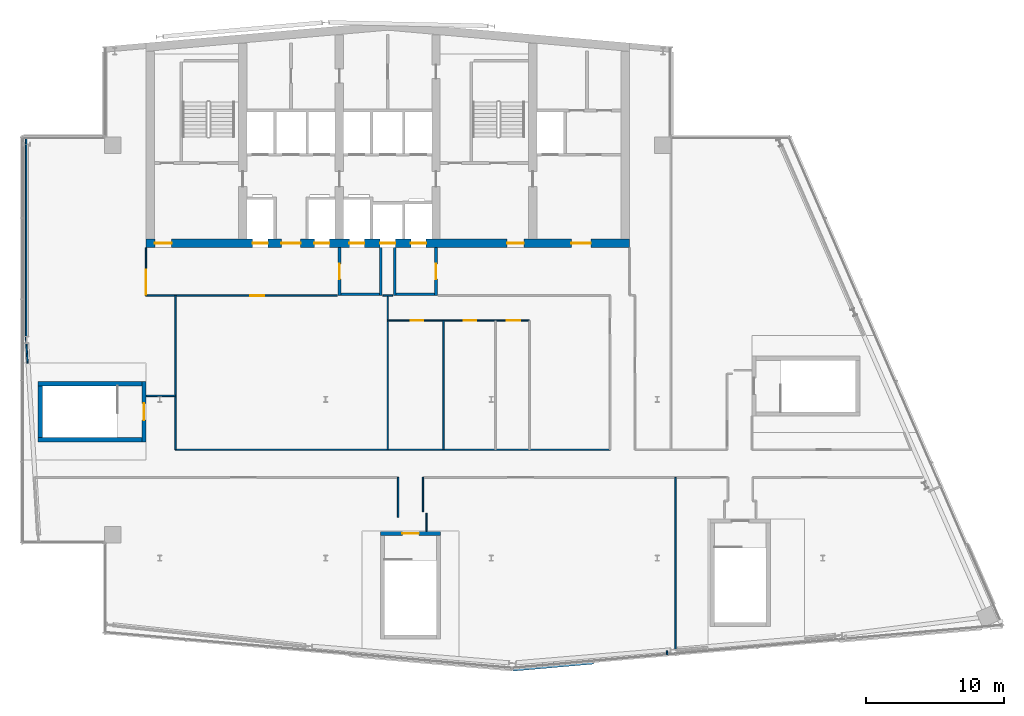
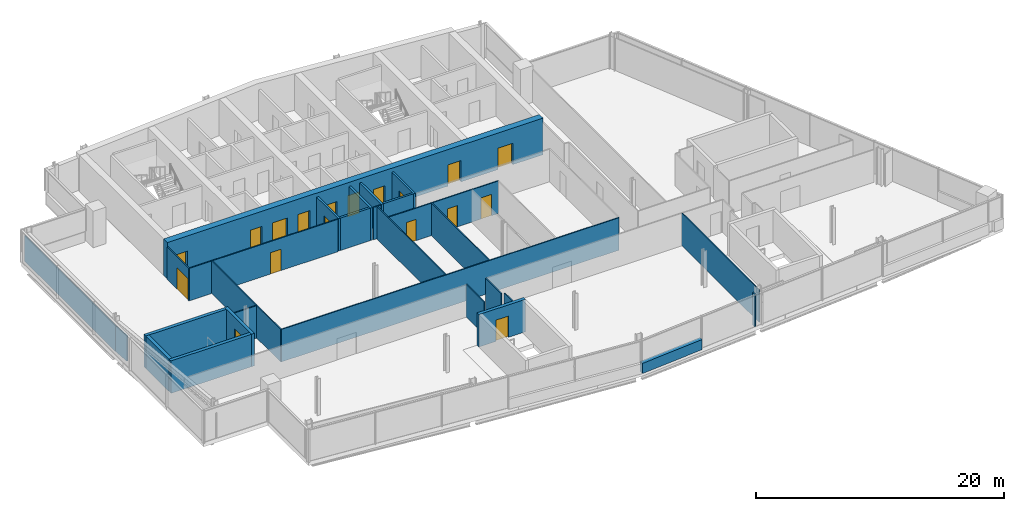
# One storey, part 14 of 19: 29 walls, 18 doors, 18 openings.
"""IFC4 building model written with IfcOpenShell, lengths in metres."""

import ifcopenshell
import ifcopenshell.guid

model = None  # the IFC model being written
_history = None  # IfcOwnerHistory: only IFC2X3 demands one
_inside = {}  # id of a spatial element -> (the spatial element, [elements in it])
_under = {}  # id of a project, library or spatial element -> (it, [spatial elements below it])
_declared = {}  # id of a project -> (the project, [libraries it declares])
_typed = {}  # id of a type object -> (the type object, [elements of that type])
_made_of = {}  # id of a material, layer set ... -> (it, [elements and type objects made of it])


def new_model(schema):
    """Start an empty IFC model of exactly this schema.

    Asked for "IFC4X3", IfcOpenShell would pick the latest addendum, in which some entities
    have other attributes; the version numbers below select the first issue.
    IFC2X3 requires an IfcOwnerHistory on every rooted entity: one is made here for all.
    """
    global model, _history
    if schema == "IFC4X3":
        model = ifcopenshell.file(schema_version=(4, 3, 0, 0))
    else:
        model = ifcopenshell.file(schema=schema)
    _inside.clear()
    _under.clear()
    _declared.clear()
    _typed.clear()
    _made_of.clear()
    _history = None
    if model.schema == "IFC2X3":
        org = make("IfcOrganization", Name="unknown")
        user = make(
            "IfcPersonAndOrganization",
            ThePerson=make("IfcPerson", FamilyName="unknown"),
            TheOrganization=org,
        )
        app = make(
            "IfcApplication",
            ApplicationDeveloper=org,
            Version="unknown",
            ApplicationFullName="unknown",
            ApplicationIdentifier="unknown",
        )
        _history = make(
            "IfcOwnerHistory",
            OwningUser=user,
            OwningApplication=app,
            ChangeAction="ADDED",
            CreationDate=0,
        )
    return model


def make(cls, **values):
    """One entity of the class cls with the attributes given. An attribute that is None is left unset."""
    return model.create_entity(
        cls, **{name: value for name, value in values.items() if value is not None}
    )


def rooted(cls, **values):
    """An entity with a GlobalId (a new one), such as an element, a storey or a relation."""
    return make(cls, GlobalId=ifcopenshell.guid.new(), OwnerHistory=_history, **values)


def si_unit(unit_type, name, prefix=None):
    """IfcSIUnit, for example si_unit("LENGTHUNIT", "METRE", prefix="MILLI")."""
    return make("IfcSIUnit", UnitType=unit_type, Prefix=prefix, Name=name)


def assignment(units):
    """IfcUnitAssignment: the units of a project."""
    return None if units is None else make("IfcUnitAssignment", Units=units)


def point(xyz):
    """IfcCartesianPoint."""
    return None if xyz is None else make("IfcCartesianPoint", Coordinates=xyz)


def direction(xyz):
    """IfcDirection."""
    return None if xyz is None else make("IfcDirection", DirectionRatios=xyz)


def frame(location, z_axis=None, x_axis=None):
    """IfcAxis2Placement3D, a coordinate frame: its origin and axes. An axis left out is left unset."""
    return make(
        "IfcAxis2Placement3D",
        Location=point(location),
        Axis=direction(z_axis),
        RefDirection=direction(x_axis),
    )


def frame_2d(location, x_axis=None):
    """IfcAxis2Placement2D, a coordinate frame in the plane: its origin and x axis."""
    return make(
        "IfcAxis2Placement2D", Location=point(location), RefDirection=direction(x_axis)
    )


def origin():
    """The frame at (0, 0, 0) with its axes left unset."""
    return frame((0.0, 0.0, 0.0))


def place(relative_to, where):
    """IfcLocalPlacement: puts the frame where relative to a parent placement (None: the world)."""
    return make(
        "IfcLocalPlacement", PlacementRelTo=relative_to, RelativePlacement=where
    )


def context(
    kind, dimensions, precision=None, world=None, true_north=None, identifier=None
):
    """IfcGeometricRepresentationContext, for example the 3D "Model" context."""
    return make(
        "IfcGeometricRepresentationContext",
        ContextIdentifier=identifier,
        ContextType=kind,
        CoordinateSpaceDimension=dimensions,
        Precision=precision,
        WorldCoordinateSystem=world,
        TrueNorth=true_north,
    )


def subcontext(parent, identifier, kind, view, scale=None):
    """IfcGeometricRepresentationSubContext, for example "Body" below "Model"."""
    return make(
        "IfcGeometricRepresentationSubContext",
        ContextIdentifier=identifier,
        ContextType=kind,
        ParentContext=parent,
        TargetScale=scale,
        TargetView=view,
    )


def project(units=None, contexts=None):
    """IfcProject with its units and contexts."""
    return rooted(
        "IfcProject",
        Name="project",
        RepresentationContexts=contexts,
        UnitsInContext=assignment(units),
    )


def spatial(cls, under=None, at=None, **own):
    """A site, building, storey or space (cls), placed at a placement, below another one or the project."""
    s = rooted(cls, ObjectPlacement=at, **own)
    if under is not None:
        _under.setdefault(under.id(), (under, []))[1].append(s)
    return s


def profile(cls, at=None, kind="AREA", **sizes):
    """A parametric profile (cls). Its sizes go by their IFC names, for example OverallWidth=200.0."""
    return make(cls, ProfileType=kind, Position=at, **sizes)


def rectangle(**sizes):
    """IfcRectangleProfileDef."""
    return profile("IfcRectangleProfileDef", **sizes)


def extrude(swept, where, along, depth):
    """IfcExtrudedAreaSolid: the profile swept, set in the frame where, extruded along a direction by depth."""
    return make(
        "IfcExtrudedAreaSolid",
        SweptArea=swept,
        Position=where,
        ExtrudedDirection=direction(along),
        Depth=depth,
    )


def shape(context_of_items, identifier, shape_type, items):
    """IfcShapeRepresentation: the items that make up one representation, for example the "Body"."""
    return make(
        "IfcShapeRepresentation",
        ContextOfItems=context_of_items,
        RepresentationIdentifier=identifier,
        RepresentationType=shape_type,
        Items=items,
    )


def material(Name=None, Category=None):
    """IfcMaterial."""
    return make("IfcMaterial", Name=Name, Category=Category)


def layer(
    of_material, thickness, ventilated=None, Name=None, Category=None, Priority=None
):
    """IfcMaterialLayer: one layer of a wall or slab, of a material (None: an air gap)."""
    return make(
        "IfcMaterialLayer",
        Material=of_material,
        LayerThickness=thickness,
        IsVentilated=ventilated,
        Name=Name,
        Category=Category,
        Priority=Priority,
    )


def layer_set(layers, Name=None):
    """IfcMaterialLayerSet."""
    return make("IfcMaterialLayerSet", MaterialLayers=layers, LayerSetName=Name)


def made_of(thing, what):
    """Note that an element or type object is made of a material, layer set ...; save() writes the relation."""
    if what is not None:
        _made_of.setdefault(what.id(), (what, []))[1].append(thing)
    return thing


def type_object(cls, material=None, **own):
    """A type object (cls), such as IfcWallType, which elements share."""
    return made_of(rooted(cls, **own), material)


def element(
    cls,
    number,
    at=None,
    inside=None,
    cuts=None,
    type_object=None,
    material=None,
    context=None,
    identifier="Body",
    shape_type=None,
    held_by="IfcProductDefinitionShape",
    body=None,
    shapes=None,
    **own,
):
    """One element of the class cls, such as IfcWall. Its Tag is "e" and its number.

    at: its placement. inside: the storey or other place that contains it. cuts: it is an
    opening in that element (IfcRelVoidsElement). A single representation is given by context,
    identifier, shape_type and body (its items); several are given by shapes. held_by: the class
    of the entity that holds the representations. save() writes the other relations.
    """
    e = rooted(cls, Tag="e%d" % number, ObjectPlacement=at, **own)
    if body is not None:
        shapes = [shape(context, identifier, shape_type, body)]
    if shapes is not None:
        e.Representation = make(held_by, Representations=shapes)
    if inside is not None:
        _inside.setdefault(inside.id(), (inside, []))[1].append(e)
    if cuts is not None:
        rooted(
            "IfcRelVoidsElement", RelatingBuildingElement=cuts, RelatedOpeningElement=e
        )
    if type_object is not None:
        _typed.setdefault(type_object.id(), (type_object, []))[1].append(e)
    return made_of(e, material)


def fill(opening, filler):
    """IfcRelFillsElement: the door or window that sits in an opening."""
    return rooted(
        "IfcRelFillsElement",
        RelatingOpeningElement=opening,
        RelatedBuildingElement=filler,
    )


def aggregate(whole, parts):
    """IfcRelAggregates: a whole, such as a stair, and the parts it consists of."""
    return rooted("IfcRelAggregates", RelatingObject=whole, RelatedObjects=parts)


def save(model, path):
    """Write the relations noted so far, then the file.

    IfcRelAggregates (storeys below a building ...), IfcRelContainedInSpatialStructure (elements
    in a storey), IfcRelDefinesByType, IfcRelAssociatesMaterial and IfcRelDeclares: one each for
    every whole, place, type object, material and project.
    """
    for whole, parts in _under.values():
        aggregate(whole, parts)
    for where, things in _inside.values():
        rooted(
            "IfcRelContainedInSpatialStructure",
            RelatedElements=things,
            RelatingStructure=where,
        )
    for kind, things in _typed.values():
        rooted("IfcRelDefinesByType", RelatedObjects=things, RelatingType=kind)
    for what, things in _made_of.values():
        rooted("IfcRelAssociatesMaterial", RelatedObjects=things, RelatingMaterial=what)
    for by, libraries in _declared.values():
        rooted("IfcRelDeclares", RelatingContext=by, RelatedDefinitions=libraries)
    model.write(path)


model = new_model("IFC4")

# Units and contexts
model_context = context("Model", 3, precision=1e-05, world=origin(), true_north=direction((0.0, 1.0)))
body_context = subcontext(model_context, "Body", "Model", "MODEL_VIEW")
ifc_project = project(units=[si_unit("LENGTHUNIT", "METRE"), si_unit("AREAUNIT", "SQUARE_METRE"), si_unit("VOLUMEUNIT", "CUBIC_METRE"), si_unit("PLANEANGLEUNIT", "RADIAN"), si_unit("MASSUNIT", "GRAM", prefix="KILO")], contexts=[model_context])

# Site, building, storey
site_placement = place(None, origin())
site = spatial("IfcSite", under=ifc_project, at=site_placement, CompositionType="ELEMENT")
building_placement = place(site_placement, origin())
building = spatial("IfcBuilding", under=site, at=building_placement, Name="Wharfspan Tower", CompositionType="ELEMENT")
storey_placement = place(building_placement, frame((0.0, 0.0, 257.5)))
storey = spatial("IfcBuildingStorey", under=building, at=storey_placement, Name="L65", CompositionType="ELEMENT", Elevation=257.5)

# Wall, opening, door
ifc_material_1 = material(Name="Gypsum board on steel studs", Category="steel")
ifc_layer_1 = layer(ifc_material_1, 0.100098)
ifc_layer_set_1 = layer_set([ifc_layer_1], Name="Gypsum board on steel studs")
wall_type_1 = type_object("IfcWallType", Name="Compartment wall 100 EI 60", PredefinedType="PARTITIONING", material=ifc_layer_set_1)
wall_1_placement = place(storey_placement, frame((23.0, 30.5, 0.0), z_axis=(0.0, 0.0, 1.0), x_axis=(0.0, 1.0, 0.0)))
wall_1 = element("IfcWall", 1, at=wall_1_placement, inside=storey, type_object=wall_type_1, Name="Partition L65.w005", PredefinedType="PARTITIONING", context=body_context, shape_type="SweptSolid", body=[
    extrude(rectangle(XDim=3.47998, YDim=0.100098, at=frame_2d((1.73999, 0.0))), origin(), (0.0, 0.0, 1.0), 3.199951),
])
opening_1_placement = place(wall_1_placement, frame((0.080078, 0.0, 0.0)))
opening_1 = element("IfcOpeningElement", 2, at=opening_1_placement, cuts=wall_1, Name="Opening D7-13", PredefinedType="OPENING", context=body_context, shape_type="SweptSolid", body=[
    extrude(rectangle(XDim=1.800049, YDim=2.100098, at=frame_2d((0.899902, 1.050049))), frame((0.0, 0.060059, 0.0), z_axis=(0.0, -1.0, 0.0), x_axis=(1.0, 0.0, 0.0)), (0.0, 0.0, 1.0), 0.120117),
])
ifc_material_2 = material(Name="Fire-rated timber door leaf in steel frame", Category="steel")
door_type_1 = type_object("IfcDoorType", Name="Door 1800 FD30S Double", OperationType="DOUBLE_DOOR_SINGLE_SWING", PredefinedType="DOOR", material=ifc_material_2)
door_1_placement = place(opening_1_placement, origin())
door_1 = element("IfcDoor", 3, at=door_1_placement, inside=storey, type_object=door_type_1, Name="Door D7-13", OperationType="DOUBLE_DOOR_SINGLE_SWING", OverallHeight=2.100098, OverallWidth=1.800049, PredefinedType="DOOR", context=body_context, shape_type="SweptSolid", body=[
    extrude(rectangle(XDim=1.800049, YDim=2.100098, at=frame_2d((0.899902, 1.050049))), frame((0.0, 0.024902, 0.0), z_axis=(0.0, -1.0, 0.0), x_axis=(1.0, 0.0, 0.0)), (0.0, 0.0, 1.0), 0.050049),
])
fill(opening_1, door_1)

wall_2_placement = place(storey_placement, frame((23.0, 30.5, 0.0), z_axis=(0.0, 0.0, 1.0), x_axis=(1.0, 0.0, 0.0)))
wall_2 = element("IfcWall", 4, at=wall_2_placement, inside=storey, type_object=wall_type_1, Name="Partition L65.w006", PredefinedType="PARTITIONING", context=body_context, shape_type="SweptSolid", body=[
    extrude(rectangle(XDim=13.850098, YDim=0.100098, at=frame_2d((6.925049, 0.0))), origin(), (0.0, 0.0, 1.0), 3.199951),
])
opening_2_placement = place(wall_2_placement, frame((7.544922, 0.0, 0.0)))
opening_2 = element("IfcOpeningElement", 5, at=opening_2_placement, cuts=wall_2, Name="Opening D7-12", PredefinedType="OPENING", context=body_context, shape_type="SweptSolid", body=[
    extrude(rectangle(XDim=1.0, YDim=2.100098, at=frame_2d((0.5, 1.050049))), frame((0.0, 0.060059, 0.0), z_axis=(0.0, -1.0, 0.0), x_axis=(1.0, 0.0, 0.0)), (0.0, 0.0, 1.0), 0.120117),
])
door_type_2 = type_object("IfcDoorType", Name="Door 1000 FD30S Left", OperationType="SINGLE_SWING_LEFT", PredefinedType="DOOR", material=ifc_material_2)
door_2_placement = place(opening_2_placement, origin())
door_2 = element("IfcDoor", 6, at=door_2_placement, inside=storey, type_object=door_type_2, Name="Door D7-12", OperationType="SINGLE_SWING_LEFT", OverallHeight=2.100098, OverallWidth=1.0, PredefinedType="DOOR", context=body_context, shape_type="SweptSolid", body=[
    extrude(rectangle(XDim=1.0, YDim=2.100098, at=frame_2d((0.5, 1.050049))), frame((0.0, 0.024902, 0.0), z_axis=(0.0, -1.0, 0.0), x_axis=(1.0, 0.0, 0.0)), (0.0, 0.0, 1.0), 0.050049),
])
fill(opening_2, door_2)

# Walls
wall_3_placement = place(storey_placement, frame((23.02002, 23.25, 0.0), z_axis=(0.0, 0.0, 1.0), x_axis=(1.0, 0.0, 0.0)))
element("IfcWall", 7, at=wall_3_placement, inside=storey, type_object=wall_type_1, Name="Partition L65.w007", PredefinedType="PARTITIONING", context=body_context, shape_type="SweptSolid", body=[
    extrude(rectangle(XDim=2.10498, YDim=0.100098, at=frame_2d((1.05249, 0.0))), origin(), (0.0, 0.0, 1.0), 3.199951),
])
wall_4_placement = place(storey_placement, frame((25.125, 19.350098, 0.0), z_axis=(0.0, 0.0, 1.0), x_axis=(0.0, 1.0, 0.0)))
element("IfcWall", 8, at=wall_4_placement, inside=storey, type_object=wall_type_1, Name="Partition L65.w008", PredefinedType="PARTITIONING", context=body_context, shape_type="SweptSolid", body=[
    extrude(rectangle(XDim=11.149902, YDim=0.100098, at=frame_2d((5.574951, 0.0))), origin(), (0.0, 0.0, 1.0), 3.199951),
])
wall_5_placement = place(storey_placement, frame((25.125, 19.350098, 0.0), z_axis=(0.0, 0.0, 1.0), x_axis=(1.0, 0.0, 0.0)))
element("IfcWall", 9, at=wall_5_placement, inside=storey, type_object=wall_type_1, Name="Partition L65.w009", PredefinedType="PARTITIONING", context=body_context, shape_type="SweptSolid", body=[
    extrude(rectangle(XDim=31.475098, YDim=0.100098, at=frame_2d((15.737549, 0.0))), origin(), (0.0, 0.0, 1.0), 3.199951),
])
wall_6_placement = place(storey_placement, frame((40.5, 19.350098, 0.0), z_axis=(0.0, 0.0, 1.0), x_axis=(0.0, 1.0, 0.0)))
element("IfcWall", 10, at=wall_6_placement, inside=storey, type_object=wall_type_1, Name="Partition L65.w011", PredefinedType="PARTITIONING", context=body_context, shape_type="SweptSolid", body=[
    extrude(rectangle(XDim=11.139893, YDim=0.100098, at=frame_2d((5.569824, 0.0))), origin(), (0.0, 0.0, 1.0), 3.199951),
])
wall_7_placement = place(storey_placement, frame((41.25, 14.443115, 0.0), z_axis=(0.0, 0.0, 1.0), x_axis=(0.0, 1.0, 0.0)))
element("IfcWall", 11, at=wall_7_placement, inside=storey, type_object=wall_type_1, Name="Partition L65.w013", PredefinedType="PARTITIONING", context=body_context, shape_type="SweptSolid", body=[
    extrude(rectangle(XDim=2.896973, YDim=0.100098, at=frame_2d((1.448486, 0.0))), origin(), (0.0, 0.0, 1.0), 3.199951),
])
wall_8_placement = place(storey_placement, frame((43.054932, 14.860107, 0.0), z_axis=(0.0, 0.0, 1.0), x_axis=(0.0, 1.0, 0.0)))
element("IfcWall", 12, at=wall_8_placement, inside=storey, type_object=wall_type_1, Name="Partition L65.w014", PredefinedType="PARTITIONING", context=body_context, shape_type="SweptSolid", body=[
    extrude(rectangle(XDim=2.484863, YDim=0.100098, at=frame_2d((1.242432, 0.0))), origin(), (0.0, 0.0, 1.0), 3.199951),
])
wall_9_placement = place(storey_placement, frame((43.304932, 13.463135, 0.0), z_axis=(0.0, 0.0, 1.0), x_axis=(0.0, 1.0, 0.0)))
element("IfcWall", 13, at=wall_9_placement, inside=storey, type_object=wall_type_1, Name="Partition L65.w016", PredefinedType="PARTITIONING", context=body_context, shape_type="SweptSolid", body=[
    extrude(rectangle(XDim=1.281982, YDim=0.100098, at=frame_2d((0.641113, 0.0))), origin(), (0.0, 0.0, 1.0), 3.199951),
])
wall_10_placement = place(storey_placement, frame((44.550049, 19.350098, 0.0), z_axis=(0.0, 0.0, 1.0), x_axis=(0.0, 1.0, 0.0)))
element("IfcWall", 14, at=wall_10_placement, inside=storey, type_object=wall_type_1, Name="Partition L65.w017", PredefinedType="PARTITIONING", context=body_context, shape_type="SweptSolid", body=[
    extrude(rectangle(XDim=9.349854, YDim=0.100098, at=frame_2d((4.674805, 0.0))), origin(), (0.0, 0.0, 1.0), 3.199951),
])
wall_11_placement = place(storey_placement, frame((61.334961, 4.860107, 0.0), z_axis=(0.0, 0.0, 1.0), x_axis=(0.0, 1.0, 0.0)))
element("IfcWall", 15, at=wall_11_placement, inside=storey, type_object=wall_type_1, Name="Partition L65.w027", PredefinedType="PARTITIONING", context=body_context, shape_type="SweptSolid", body=[
    extrude(rectangle(XDim=12.47998, YDim=0.100098, at=frame_2d((6.23999, 0.0))), origin(), (0.0, 0.0, 1.0), 3.199951),
])
wall_12_placement = place(storey_placement, frame((40.149902, 30.5, 0.0), z_axis=(0.0, 0.0, 1.0), x_axis=(1.0, 0.0, 0.0)))
element("IfcWall", 16, at=wall_12_placement, inside=storey, type_object=wall_type_1, Name="Partition L65.w006 (2)", PredefinedType="PARTITIONING", context=body_context, shape_type="SweptSolid", body=[
    extrude(rectangle(XDim=0.700195, YDim=0.100098, at=frame_2d((0.350098, 0.0))), origin(), (0.0, 0.0, 1.0), 3.199951),
])

# Wall, openings, doors
ifc_material_3 = material(Name="Concrete C50/60", Category="concrete")
ifc_layer_2 = layer(ifc_material_3, 0.600098)
ifc_layer_set_2 = layer_set([ifc_layer_2], Name="Concrete C50/60")
wall_type_2 = type_object("IfcWallType", Name="Core wall 600 C50/60", PredefinedType="SHEAR", material=ifc_layer_set_2)
wall_13_placement = place(storey_placement, frame((23.0, 34.300049, 0.0), z_axis=(0.0, 0.0, 1.0), x_axis=(1.0, 0.0, 0.0)))
wall_13 = element("IfcWall", 17, at=wall_13_placement, inside=storey, type_object=wall_type_2, Name="Core front wall L65", PredefinedType="SHEAR", context=body_context, shape_type="SweptSolid", body=[
    extrude(rectangle(XDim=35.0, YDim=0.600098, at=frame_2d((17.5, 0.0))), origin(), (0.0, 0.0, 1.0), 3.600098),
])
opening_3_placement = place(wall_13_placement, frame((0.649902, 0.0, 0.0)))
opening_3 = element("IfcOpeningElement", 18, at=opening_3_placement, cuts=wall_13, Name="Opening SV2.L65", PredefinedType="OPENING", context=body_context, shape_type="SweptSolid", body=[
    extrude(rectangle(XDim=1.199951, YDim=2.100098, at=frame_2d((0.600098, 1.050049))), frame((0.0, 0.310059, 0.0), z_axis=(0.0, -1.0, 0.0), x_axis=(1.0, 0.0, 0.0)), (0.0, 0.0, 1.0), 0.620117),
])
opening_4_placement = place(wall_13_placement, frame((7.716797, 0.0, 0.0)))
opening_4 = element("IfcOpeningElement", 19, at=opening_4_placement, cuts=wall_13, Name="Opening LD.SL1.L65", PredefinedType="OPENING", context=body_context, shape_type="SweptSolid", body=[
    extrude(rectangle(XDim=1.100098, YDim=2.100098, at=frame_2d((0.550049, 1.050049))), frame((0.0, 0.310059, 0.0), z_axis=(0.0, -1.0, 0.0), x_axis=(1.0, 0.0, 0.0)), (0.0, 0.0, 1.0), 0.620117),
])
opening_5_placement = place(wall_13_placement, frame((12.18335, 0.0, 0.0)))
opening_5 = element("IfcOpeningElement", 20, at=opening_5_placement, cuts=wall_13, Name="Opening LD.SL2.L65", PredefinedType="OPENING", context=body_context, shape_type="SweptSolid", body=[
    extrude(rectangle(XDim=1.100098, YDim=2.100098, at=frame_2d((0.550049, 1.050049))), frame((0.0, 0.310059, 0.0), z_axis=(0.0, -1.0, 0.0), x_axis=(1.0, 0.0, 0.0)), (0.0, 0.0, 1.0), 0.620117),
])
opening_6_placement = place(wall_13_placement, frame((9.800049, 0.0, 0.0)))
opening_6 = element("IfcOpeningElement", 21, at=opening_6_placement, cuts=wall_13, Name="Opening HD65.3", PredefinedType="OPENING", context=body_context, shape_type="SweptSolid", body=[
    extrude(rectangle(XDim=1.399902, YDim=2.100098, at=frame_2d((0.699951, 1.050049))), frame((0.0, 0.310059, 0.0), z_axis=(0.0, -1.0, 0.0), x_axis=(1.0, 0.0, 0.0)), (0.0, 0.0, 1.0), 0.620117),
])
opening_7_placement = place(wall_13_placement, frame((14.716797, 0.0, 0.0)))
opening_7 = element("IfcOpeningElement", 22, at=opening_7_placement, cuts=wall_13, Name="Opening LD.FF1.L65", PredefinedType="OPENING", context=body_context, shape_type="SweptSolid", body=[
    extrude(rectangle(XDim=1.100098, YDim=2.100098, at=frame_2d((0.550049, 1.050049))), frame((0.0, 0.310059, 0.0), z_axis=(0.0, -1.0, 0.0), x_axis=(1.0, 0.0, 0.0)), (0.0, 0.0, 1.0), 0.620117),
])
opening_8_placement = place(wall_13_placement, frame((16.949951, 0.0, 0.0)))
opening_8 = element("IfcOpeningElement", 23, at=opening_8_placement, cuts=wall_13, Name="Opening LD.LB7.L65", PredefinedType="OPENING", context=body_context, shape_type="SweptSolid", body=[
    extrude(rectangle(XDim=1.100098, YDim=2.100098, at=frame_2d((0.550049, 1.050049))), frame((0.0, 0.310059, 0.0), z_axis=(0.0, -1.0, 0.0), x_axis=(1.0, 0.0, 0.0)), (0.0, 0.0, 1.0), 0.620117),
])
opening_9_placement = place(wall_13_placement, frame((19.18335, 0.0, 0.0)))
opening_9 = element("IfcOpeningElement", 24, at=opening_9_placement, cuts=wall_13, Name="Opening LD.FF2.L65", PredefinedType="OPENING", context=body_context, shape_type="SweptSolid", body=[
    extrude(rectangle(XDim=1.100098, YDim=2.100098, at=frame_2d((0.550049, 1.050049))), frame((0.0, 0.310059, 0.0), z_axis=(0.0, -1.0, 0.0), x_axis=(1.0, 0.0, 0.0)), (0.0, 0.0, 1.0), 0.620117),
])
opening_10_placement = place(wall_13_placement, frame((26.149902, 0.0, 0.0)))
opening_10 = element("IfcOpeningElement", 25, at=opening_10_placement, cuts=wall_13, Name="Opening SV5.L65", PredefinedType="OPENING", context=body_context, shape_type="SweptSolid", body=[
    extrude(rectangle(XDim=1.199951, YDim=2.100098, at=frame_2d((0.600098, 1.050049))), frame((0.0, 0.310059, 0.0), z_axis=(0.0, -1.0, 0.0), x_axis=(1.0, 0.0, 0.0)), (0.0, 0.0, 1.0), 0.620117),
])
opening_11_placement = place(wall_13_placement, frame((30.800049, 0.0, 0.0)))
opening_11 = element("IfcOpeningElement", 26, at=opening_11_placement, cuts=wall_13, Name="Opening HD65.6", PredefinedType="OPENING", context=body_context, shape_type="SweptSolid", body=[
    extrude(rectangle(XDim=1.399902, YDim=2.100098, at=frame_2d((0.699951, 1.050049))), frame((0.0, 0.310059, 0.0), z_axis=(0.0, -1.0, 0.0), x_axis=(1.0, 0.0, 0.0)), (0.0, 0.0, 1.0), 0.620117),
])
ifc_material_4 = material(Name="Steel door leaf", Category="steel")
door_type_3 = type_object("IfcDoorType", Name="Hall entry door 1400x2100", OperationType="DOUBLE_DOOR_SINGLE_SWING", PredefinedType="DOOR", material=ifc_material_4)
door_3_placement = place(opening_6_placement, origin())
door_3 = element("IfcDoor", 27, at=door_3_placement, inside=storey, type_object=door_type_3, Name="d:L65:3:hd3", OperationType="DOUBLE_DOOR_SINGLE_SWING", OverallHeight=2.100098, OverallWidth=1.399902, PredefinedType="DOOR", context=body_context, shape_type="SweptSolid", body=[
    extrude(rectangle(XDim=1.399902, YDim=2.100098, at=frame_2d((0.699951, 1.050049))), frame((0.0, 0.024902, 0.0), z_axis=(0.0, -1.0, 0.0), x_axis=(1.0, 0.0, 0.0)), (0.0, 0.0, 1.0), 0.050049),
])
fill(opening_6, door_3)
door_4_placement = place(opening_11_placement, origin())
door_4 = element("IfcDoor", 28, at=door_4_placement, inside=storey, type_object=door_type_3, Name="d:L65:6:hd6", OperationType="DOUBLE_DOOR_SINGLE_SWING", OverallHeight=2.100098, OverallWidth=1.399902, PredefinedType="DOOR", context=body_context, shape_type="SweptSolid", body=[
    extrude(rectangle(XDim=1.399902, YDim=2.100098, at=frame_2d((0.699951, 1.050049))), frame((0.0, 0.024902, 0.0), z_axis=(0.0, -1.0, 0.0), x_axis=(1.0, 0.0, 0.0)), (0.0, 0.0, 1.0), 0.050049),
])
fill(opening_11, door_4)
ifc_material_5 = material(Name="Stainless steel", Category="steel")
door_type_4 = type_object("IfcDoorType", Name="Lift landing door 1100x2100", OperationType="DOUBLE_DOOR_SLIDING", PredefinedType="DOOR", material=ifc_material_5)
door_5_placement = place(opening_4_placement, origin())
door_5 = element("IfcDoor", 29, at=door_5_placement, inside=storey, type_object=door_type_4, Name="Landing door SL1 L65", OperationType="DOUBLE_DOOR_SLIDING", OverallHeight=2.100098, OverallWidth=1.100098, PredefinedType="DOOR", context=body_context, shape_type="SweptSolid", body=[
    extrude(rectangle(XDim=1.100098, YDim=2.100098, at=frame_2d((0.550049, 1.050049))), frame((0.0, 0.024902, 0.0), z_axis=(0.0, -1.0, 0.0), x_axis=(1.0, 0.0, 0.0)), (0.0, 0.0, 1.0), 0.050049),
])
fill(opening_4, door_5)
door_6_placement = place(opening_5_placement, origin())
door_6 = element("IfcDoor", 30, at=door_6_placement, inside=storey, type_object=door_type_4, Name="Landing door SL2 L65", OperationType="DOUBLE_DOOR_SLIDING", OverallHeight=2.100098, OverallWidth=1.100098, PredefinedType="DOOR", context=body_context, shape_type="SweptSolid", body=[
    extrude(rectangle(XDim=1.100098, YDim=2.100098, at=frame_2d((0.550049, 1.050049))), frame((0.0, 0.024902, 0.0), z_axis=(0.0, -1.0, 0.0), x_axis=(1.0, 0.0, 0.0)), (0.0, 0.0, 1.0), 0.050049),
])
fill(opening_5, door_6)
door_7_placement = place(opening_7_placement, origin())
door_7 = element("IfcDoor", 31, at=door_7_placement, inside=storey, type_object=door_type_4, Name="Landing door FF1 L65", OperationType="DOUBLE_DOOR_SLIDING", OverallHeight=2.100098, OverallWidth=1.100098, PredefinedType="DOOR", context=body_context, shape_type="SweptSolid", body=[
    extrude(rectangle(XDim=1.100098, YDim=2.100098, at=frame_2d((0.550049, 1.050049))), frame((0.0, 0.024902, 0.0), z_axis=(0.0, -1.0, 0.0), x_axis=(1.0, 0.0, 0.0)), (0.0, 0.0, 1.0), 0.050049),
])
fill(opening_7, door_7)
door_8_placement = place(opening_8_placement, origin())
door_8 = element("IfcDoor", 32, at=door_8_placement, inside=storey, type_object=door_type_4, Name="Landing door LB7 L65", OperationType="DOUBLE_DOOR_SLIDING", OverallHeight=2.100098, OverallWidth=1.100098, PredefinedType="DOOR", context=body_context, shape_type="SweptSolid", body=[
    extrude(rectangle(XDim=1.100098, YDim=2.100098, at=frame_2d((0.550049, 1.050049))), frame((0.0, 0.024902, 0.0), z_axis=(0.0, -1.0, 0.0), x_axis=(1.0, 0.0, 0.0)), (0.0, 0.0, 1.0), 0.050049),
])
fill(opening_8, door_8)
door_9_placement = place(opening_9_placement, origin())
door_9 = element("IfcDoor", 33, at=door_9_placement, inside=storey, type_object=door_type_4, Name="Landing door FF2 L65", OperationType="DOUBLE_DOOR_SLIDING", OverallHeight=2.100098, OverallWidth=1.100098, PredefinedType="DOOR", context=body_context, shape_type="SweptSolid", body=[
    extrude(rectangle(XDim=1.100098, YDim=2.100098, at=frame_2d((0.550049, 1.050049))), frame((0.0, 0.024902, 0.0), z_axis=(0.0, -1.0, 0.0), x_axis=(1.0, 0.0, 0.0)), (0.0, 0.0, 1.0), 0.050049),
])
fill(opening_9, door_9)
door_type_5 = type_object("IfcDoorType", Name="Stair door 1200x2100", OperationType="SINGLE_SWING_LEFT", PredefinedType="DOOR", material=ifc_material_4)
door_10_placement = place(opening_3_placement, origin())
door_10 = element("IfcDoor", 34, at=door_10_placement, inside=storey, type_object=door_type_5, Name="vd:L65:2", OperationType="SINGLE_SWING_LEFT", OverallHeight=2.100098, OverallWidth=1.199951, PredefinedType="DOOR", context=body_context, shape_type="SweptSolid", body=[
    extrude(rectangle(XDim=1.199951, YDim=2.100098, at=frame_2d((0.600098, 1.050049))), frame((0.0, 0.024902, 0.0), z_axis=(0.0, -1.0, 0.0), x_axis=(1.0, 0.0, 0.0)), (0.0, 0.0, 1.0), 0.050049),
])
fill(opening_3, door_10)
door_11_placement = place(opening_10_placement, origin())
door_11 = element("IfcDoor", 35, at=door_11_placement, inside=storey, type_object=door_type_5, Name="vd:L65:5", OperationType="SINGLE_SWING_LEFT", OverallHeight=2.100098, OverallWidth=1.199951, PredefinedType="DOOR", context=body_context, shape_type="SweptSolid", body=[
    extrude(rectangle(XDim=1.199951, YDim=2.100098, at=frame_2d((0.600098, 1.050049))), frame((0.0, 0.024902, 0.0), z_axis=(0.0, -1.0, 0.0), x_axis=(1.0, 0.0, 0.0)), (0.0, 0.0, 1.0), 0.050049),
])
fill(opening_10, door_11)

# Wall, opening, door
ifc_material_6 = material(Name="Concrete C30/37", Category="concrete")
ifc_layer_3 = layer(ifc_material_6, 0.199951)
ifc_layer_set_3 = layer_set([ifc_layer_3], Name="Concrete C30/37")
wall_type_3 = type_object("IfcWallType", Name="Lobby wall 200", PredefinedType="PARTITIONING", material=ifc_layer_set_3)
wall_14_placement = place(storey_placement, frame((37.0, 30.5, 0.0), z_axis=(0.0, 0.0, 1.0), x_axis=(0.0, 1.0, 0.0)))
wall_14 = element("IfcWall", 36, at=wall_14_placement, inside=storey, type_object=wall_type_3, Name="sw:L65:FLFF1W", PredefinedType="PARTITIONING", context=body_context, shape_type="SweptSolid", body=[
    extrude(rectangle(XDim=3.5, YDim=0.199951, at=frame_2d((1.75, 0.0))), origin(), (0.0, 0.0, 1.0), 3.199951),
])
opening_12_placement = place(wall_14_placement, frame((1.199951, 0.0, 0.0)))
opening_12 = element("IfcOpeningElement", 37, at=opening_12_placement, cuts=wall_14, Name="Opening FL.FF1.L65", PredefinedType="OPENING", context=body_context, shape_type="SweptSolid", body=[
    extrude(rectangle(XDim=1.100098, YDim=2.100098, at=frame_2d((0.550049, 1.050049))), frame((0.0, 0.109863, 0.0), z_axis=(0.0, -1.0, 0.0), x_axis=(1.0, 0.0, 0.0)), (0.0, 0.0, 1.0), 0.219971),
])
door_type_6 = type_object("IfcDoorType", Name="Firefighting lobby door 1100x2100", OperationType="SINGLE_SWING_LEFT", PredefinedType="DOOR", material=ifc_material_4)
door_12_placement = place(opening_12_placement, origin())
door_12 = element("IfcDoor", 38, at=door_12_placement, inside=storey, type_object=door_type_6, Name="fd:L65:FF1", OperationType="SINGLE_SWING_LEFT", OverallHeight=2.100098, OverallWidth=1.100098, PredefinedType="DOOR", context=body_context, shape_type="SweptSolid", body=[
    extrude(rectangle(XDim=1.100098, YDim=2.100098, at=frame_2d((0.550049, 1.050049))), frame((0.0, 0.024902, 0.0), z_axis=(0.0, -1.0, 0.0), x_axis=(1.0, 0.0, 0.0)), (0.0, 0.0, 1.0), 0.050049),
])
fill(opening_12, door_12)

# Walls
wall_15_placement = place(storey_placement, frame((40.0, 30.5, 0.0), z_axis=(0.0, 0.0, 1.0), x_axis=(0.0, 1.0, 0.0)))
element("IfcWall", 39, at=wall_15_placement, inside=storey, type_object=wall_type_3, Name="sw:L65:FLFF1E", PredefinedType="PARTITIONING", context=body_context, shape_type="SweptSolid", body=[
    extrude(rectangle(XDim=3.5, YDim=0.199951, at=frame_2d((1.75, 0.0))), origin(), (0.0, 0.0, 1.0), 3.199951),
])
wall_16_placement = place(storey_placement, frame((37.100098, 30.600098, 0.0), z_axis=(0.0, 0.0, 1.0), x_axis=(1.0, 0.0, 0.0)))
element("IfcWall", 40, at=wall_16_placement, inside=storey, type_object=wall_type_3, Name="sw:L65:FLFF1F", PredefinedType="PARTITIONING", context=body_context, shape_type="SweptSolid", body=[
    extrude(rectangle(XDim=2.799805, YDim=0.199951, at=frame_2d((1.399902, 0.0))), origin(), (0.0, 0.0, 1.0), 3.199951),
])
wall_17_placement = place(storey_placement, frame((41.0, 30.5, 0.0), z_axis=(0.0, 0.0, 1.0), x_axis=(0.0, 1.0, 0.0)))
element("IfcWall", 41, at=wall_17_placement, inside=storey, type_object=wall_type_3, Name="sw:L65:FLFF2W", PredefinedType="PARTITIONING", context=body_context, shape_type="SweptSolid", body=[
    extrude(rectangle(XDim=3.5, YDim=0.199951, at=frame_2d((1.75, 0.0))), origin(), (0.0, 0.0, 1.0), 3.199951),
])

# Wall, opening, door
wall_18_placement = place(storey_placement, frame((44.0, 30.5, 0.0), z_axis=(0.0, 0.0, 1.0), x_axis=(0.0, 1.0, 0.0)))
wall_18 = element("IfcWall", 42, at=wall_18_placement, inside=storey, type_object=wall_type_3, Name="sw:L65:FLFF2E", PredefinedType="PARTITIONING", context=body_context, shape_type="SweptSolid", body=[
    extrude(rectangle(XDim=3.5, YDim=0.199951, at=frame_2d((1.75, 0.0))), origin(), (0.0, 0.0, 1.0), 3.199951),
])
opening_13_placement = place(wall_18_placement, frame((1.199951, 0.0, 0.0)))
opening_13 = element("IfcOpeningElement", 43, at=opening_13_placement, cuts=wall_18, Name="Opening FL.FF2.L65", PredefinedType="OPENING", context=body_context, shape_type="SweptSolid", body=[
    extrude(rectangle(XDim=1.100098, YDim=2.100098, at=frame_2d((0.550049, 1.050049))), frame((0.0, 0.109863, 0.0), z_axis=(0.0, -1.0, 0.0), x_axis=(1.0, 0.0, 0.0)), (0.0, 0.0, 1.0), 0.219971),
])
door_13_placement = place(opening_13_placement, origin())
door_13 = element("IfcDoor", 44, at=door_13_placement, inside=storey, type_object=door_type_6, Name="fd:L65:FF2", OperationType="SINGLE_SWING_LEFT", OverallHeight=2.100098, OverallWidth=1.100098, PredefinedType="DOOR", context=body_context, shape_type="SweptSolid", body=[
    extrude(rectangle(XDim=1.100098, YDim=2.100098, at=frame_2d((0.550049, 1.050049))), frame((0.0, 0.024902, 0.0), z_axis=(0.0, -1.0, 0.0), x_axis=(1.0, 0.0, 0.0)), (0.0, 0.0, 1.0), 0.050049),
])
fill(opening_13, door_13)

# Walls
wall_19_placement = place(storey_placement, frame((41.100098, 30.600098, 0.0), z_axis=(0.0, 0.0, 1.0), x_axis=(1.0, 0.0, 0.0)))
element("IfcWall", 45, at=wall_19_placement, inside=storey, type_object=wall_type_3, Name="sw:L65:FLFF2F", PredefinedType="PARTITIONING", context=body_context, shape_type="SweptSolid", body=[
    extrude(rectangle(XDim=2.799805, YDim=0.199951, at=frame_2d((1.399902, 0.0))), origin(), (0.0, 0.0, 1.0), 3.199951),
])
ifc_layer_4 = layer(ifc_material_1, 0.100098)
ifc_layer_set_4 = layer_set([ifc_layer_4], Name="Gypsum board on steel studs")
wall_type_4 = type_object("IfcWallType", Name="Partition 100", PredefinedType="PARTITIONING", material=ifc_layer_set_4)
wall_20_placement = place(storey_placement, frame((14.324951, 27.300049, 0.0), z_axis=(0.0, 0.0, 1.0), x_axis=(0.0, 1.0, 0.0)))
element("IfcWall", 46, at=wall_20_placement, inside=storey, type_object=wall_type_4, Name="Partition L65.w001", PredefinedType="PARTITIONING", context=body_context, shape_type="SweptSolid", body=[
    extrude(rectangle(XDim=14.679932, YDim=0.100098, at=frame_2d((7.339844, 0.0))), origin(), (0.0, 0.0, 1.0), 2.494385),
])
wall_21_placement = place(storey_placement, frame((14.428711, 25.620117, 0.0), z_axis=(0.0, 0.0, 1.0), x_axis=(-0.061647, 0.998101, 0.0)))
element("IfcWall", 47, at=wall_21_placement, inside=storey, type_object=wall_type_4, Name="Partition L65.w002", PredefinedType="PARTITIONING", context=body_context, shape_type="SweptSolid", body=[
    extrude(rectangle(XDim=1.683105, YDim=0.100098, at=frame_2d((0.841553, 0.0))), origin(), (0.0, 0.0, 1.0), 2.501953),
])

# Wall, openings, doors
wall_22_placement = place(storey_placement, frame((40.5, 28.699951, 0.0), z_axis=(0.0, 0.0, 1.0), x_axis=(1.0, 0.0, 0.0)))
wall_22 = element("IfcWall", 48, at=wall_22_placement, inside=storey, type_object=wall_type_4, Name="Partition L65.w012", PredefinedType="PARTITIONING", context=body_context, shape_type="SweptSolid", body=[
    extrude(rectangle(XDim=10.25, YDim=0.100098, at=frame_2d((5.125, 0.0))), origin(), (0.0, 0.0, 1.0), 3.199951),
])
opening_14_placement = place(wall_22_placement, frame((1.669922, 0.0, 0.0)))
opening_14 = element("IfcOpeningElement", 49, at=opening_14_placement, cuts=wall_22, Name="Opening D7-09", PredefinedType="OPENING", context=body_context, shape_type="SweptSolid", body=[
    extrude(rectangle(XDim=0.899902, YDim=2.100098, at=frame_2d((0.449951, 1.050049))), frame((0.0, 0.060059, 0.0), z_axis=(0.0, -1.0, 0.0), x_axis=(1.0, 0.0, 0.0)), (0.0, 0.0, 1.0), 0.120117),
])
opening_15_placement = place(wall_22_placement, frame((5.52002, 0.0, 0.0)))
opening_15 = element("IfcOpeningElement", 50, at=opening_15_placement, cuts=wall_22, Name="Opening D7-10", PredefinedType="OPENING", context=body_context, shape_type="SweptSolid", body=[
    extrude(rectangle(XDim=0.899902, YDim=2.100098, at=frame_2d((0.449951, 1.050049))), frame((0.0, 0.060059, 0.0), z_axis=(0.0, -1.0, 0.0), x_axis=(1.0, 0.0, 0.0)), (0.0, 0.0, 1.0), 0.120117),
])
opening_16_placement = place(wall_22_placement, frame((8.610107, 0.0, 0.0)))
opening_16 = element("IfcOpeningElement", 51, at=opening_16_placement, cuts=wall_22, Name="Opening D7-11", PredefinedType="OPENING", context=body_context, shape_type="SweptSolid", body=[
    extrude(rectangle(XDim=1.0, YDim=2.100098, at=frame_2d((0.5, 1.050049))), frame((0.0, 0.060059, 0.0), z_axis=(0.0, -1.0, 0.0), x_axis=(1.0, 0.0, 0.0)), (0.0, 0.0, 1.0), 0.120117),
])
ifc_material_7 = material(Name="Timber door leaf in steel frame", Category="steel")
door_type_7 = type_object("IfcDoorType", Name="Door 1000 NOT RATED Right", OperationType="SINGLE_SWING_RIGHT", PredefinedType="DOOR", material=ifc_material_7)
door_14_placement = place(opening_16_placement, origin())
door_14 = element("IfcDoor", 52, at=door_14_placement, inside=storey, type_object=door_type_7, Name="Door D7-11", OperationType="SINGLE_SWING_RIGHT", OverallHeight=2.100098, OverallWidth=1.0, PredefinedType="DOOR", context=body_context, shape_type="SweptSolid", body=[
    extrude(rectangle(XDim=1.0, YDim=2.100098, at=frame_2d((0.5, 1.050049))), frame((0.0, 0.024902, 0.0), z_axis=(0.0, -1.0, 0.0), x_axis=(1.0, 0.0, 0.0)), (0.0, 0.0, 1.0), 0.050049),
])
fill(opening_16, door_14)
door_type_8 = type_object("IfcDoorType", Name="Door 900 NOT RATED Left", OperationType="SINGLE_SWING_LEFT", PredefinedType="DOOR", material=ifc_material_7)
door_15_placement = place(opening_14_placement, origin())
door_15 = element("IfcDoor", 53, at=door_15_placement, inside=storey, type_object=door_type_8, Name="Door D7-09", OperationType="SINGLE_SWING_LEFT", OverallHeight=2.100098, OverallWidth=0.899902, PredefinedType="DOOR", context=body_context, shape_type="SweptSolid", body=[
    extrude(rectangle(XDim=0.899902, YDim=2.100098, at=frame_2d((0.449951, 1.050049))), frame((0.0, 0.024902, 0.0), z_axis=(0.0, -1.0, 0.0), x_axis=(1.0, 0.0, 0.0)), (0.0, 0.0, 1.0), 0.050049),
])
fill(opening_14, door_15)
door_type_9 = type_object("IfcDoorType", Name="Door 900 NOT RATED Right", OperationType="SINGLE_SWING_RIGHT", PredefinedType="DOOR", material=ifc_material_7)
door_16_placement = place(opening_15_placement, origin())
door_16 = element("IfcDoor", 54, at=door_16_placement, inside=storey, type_object=door_type_9, Name="Door D7-10", OperationType="SINGLE_SWING_RIGHT", OverallHeight=2.100098, OverallWidth=0.899902, PredefinedType="DOOR", context=body_context, shape_type="SweptSolid", body=[
    extrude(rectangle(XDim=0.899902, YDim=2.100098, at=frame_2d((0.449951, 1.050049))), frame((0.0, 0.024902, 0.0), z_axis=(0.0, -1.0, 0.0), x_axis=(1.0, 0.0, 0.0)), (0.0, 0.0, 1.0), 0.050049),
])
fill(opening_15, door_16)

# Walls
wall_23_placement = place(storey_placement, frame((60.73291, 4.49707, 0.0), z_axis=(0.0, 0.0, 1.0), x_axis=(-0.090037, 0.995936, 0.0)))
element("IfcWall", 55, at=wall_23_placement, inside=storey, type_object=wall_type_4, Name="Partition L65.w025", PredefinedType="PARTITIONING", context=body_context, shape_type="SweptSolid", body=[
    extrude(rectangle(XDim=0.309082, YDim=0.100098, at=frame_2d((0.154541, 0.0))), origin(), (0.0, 0.0, 1.0), 3.199951),
])
ifc_material_8 = material(Name="Concrete C40/50", Category="concrete")
ifc_layer_5 = layer(ifc_material_8, 0.350098)
ifc_layer_set_5 = layer_set([ifc_layer_5], Name="Concrete C40/50")
wall_type_5 = type_object("IfcWallType", Name="SPANDREL EXPOSED CONCRETE 350", PredefinedType="SOLIDWALL", material=ifc_layer_set_5)
wall_24_placement = place(storey_placement, frame((49.54541, 3.493164, 0.0), z_axis=(0.0, 0.0, 1.0), x_axis=(0.996196, 0.087138, 0.0)))
element("IfcWall", 56, at=wall_24_placement, inside=storey, type_object=wall_type_5, Name="Spandrel upstand L65 S2 1", PredefinedType="SOLIDWALL", context=body_context, shape_type="SweptSolid", body=[
    extrude(rectangle(XDim=5.864014, YDim=0.350098, at=frame_2d((2.932129, 0.0))), origin(), (0.0, 0.0, 1.0), 1.0),
])

# Wall, opening, door
ifc_layer_6 = layer(ifc_material_8, 0.300049)
ifc_layer_set_6 = layer_set([ifc_layer_6], Name="Concrete C40/50")
wall_type_6 = type_object("IfcWallType", Name="Stair core wall 300", PredefinedType="SHEAR", material=ifc_layer_set_6)
wall_25_placement = place(storey_placement, frame((22.850098, 19.925049, 0.0), z_axis=(0.0, 0.0, 1.0), x_axis=(0.0, 1.0, 0.0)))
wall_25 = element("IfcWall", 57, at=wall_25_placement, inside=storey, type_object=wall_type_6, Name="ST3 stair enclosure wall L65", PredefinedType="SHEAR", context=body_context, shape_type="SweptSolid", body=[
    extrude(rectangle(XDim=4.349854, YDim=0.300049, at=frame_2d((2.174805, 0.0))), origin(), (0.0, 0.0, 1.0), 3.199951),
])
opening_17_placement = place(wall_25_placement, frame((1.574951, 0.0, 0.0)))
opening_17 = element("IfcOpeningElement", 58, at=opening_17_placement, cuts=wall_25, Name="Opening SD3.L65", PredefinedType="OPENING", context=body_context, shape_type="SweptSolid", body=[
    extrude(rectangle(XDim=1.199951, YDim=2.100098, at=frame_2d((0.600098, 1.050049))), frame((0.0, 0.159912, 0.0), z_axis=(0.0, -1.0, 0.0), x_axis=(1.0, 0.0, 0.0)), (0.0, 0.0, 1.0), 0.320068),
])
door_17_placement = place(opening_17_placement, origin())
door_17 = element("IfcDoor", 59, at=door_17_placement, inside=storey, type_object=door_type_5, Name="sd:L65:ST3z4", OperationType="SINGLE_SWING_RIGHT", OverallHeight=2.100098, OverallWidth=1.199951, PredefinedType="DOOR", context=body_context, shape_type="SweptSolid", body=[
    extrude(rectangle(XDim=1.199951, YDim=2.100098, at=frame_2d((0.600098, 1.050049))), frame((0.0, 0.024902, 0.0), z_axis=(0.0, -1.0, 0.0), x_axis=(1.0, 0.0, 0.0)), (0.0, 0.0, 1.0), 0.050049),
])
fill(opening_17, door_17)

wall_26_placement = place(storey_placement, frame((39.977051, 13.293213, 0.0), z_axis=(0.0, 0.0, 1.0), x_axis=(1.0, 0.0, 0.0)))
wall_26 = element("IfcWall", 60, at=wall_26_placement, inside=storey, type_object=wall_type_6, Name="ST4 stair enclosure wall L65", PredefinedType="SHEAR", context=body_context, shape_type="SweptSolid", body=[
    extrude(rectangle(XDim=4.350098, YDim=0.300049, at=frame_2d((2.175049, 0.0))), origin(), (0.0, 0.0, 1.0), 3.199951),
])
opening_18_placement = place(wall_26_placement, frame((1.574951, 0.0, 0.0)))
opening_18 = element("IfcOpeningElement", 61, at=opening_18_placement, cuts=wall_26, Name="Opening SD4.L65", PredefinedType="OPENING", context=body_context, shape_type="SweptSolid", body=[
    extrude(rectangle(XDim=1.199951, YDim=2.100098, at=frame_2d((0.600098, 1.050049))), frame((0.0, 0.159912, 0.0), z_axis=(0.0, -1.0, 0.0), x_axis=(1.0, 0.0, 0.0)), (0.0, 0.0, 1.0), 0.320068),
])
door_18_placement = place(opening_18_placement, origin())
door_18 = element("IfcDoor", 62, at=door_18_placement, inside=storey, type_object=door_type_5, Name="sd:L65:ST4z4", OperationType="SINGLE_SWING_RIGHT", OverallHeight=2.100098, OverallWidth=1.199951, PredefinedType="DOOR", context=body_context, shape_type="SweptSolid", body=[
    extrude(rectangle(XDim=1.199951, YDim=2.100098, at=frame_2d((0.600098, 1.050049))), frame((0.0, 0.024902, 0.0), z_axis=(0.0, -1.0, 0.0), x_axis=(1.0, 0.0, 0.0)), (0.0, 0.0, 1.0), 0.050049),
])
fill(opening_18, door_18)

# Walls
for number, where, z_axis, x_axis, name in (
    (63, (15.199951, 20.074951, 0.0), (0.0, 0.0, 1.0), (1.0, 0.0, 0.0), "ST3 stair enclosure wall L65"),
    (64, (15.199951, 24.125, 0.0), (0.0, 0.0, 1.0), (1.0, 0.0, 0.0), "ST3 stair enclosure wall L65"),
):
    element("IfcWall", number, at=place(storey_placement, frame(where, z_axis=z_axis, x_axis=x_axis)), inside=storey, type_object=wall_type_6, Name=name, PredefinedType="SHEAR", context=body_context, shape_type="SweptSolid", body=[
        extrude(rectangle(XDim=7.5, YDim=0.300049, at=frame_2d((3.75, 0.0))), origin(), (0.0, 0.0, 1.0), 3.199951),
    ])
wall_27_placement = place(storey_placement, frame((15.350098, 20.225098, 0.0), z_axis=(0.0, 0.0, 1.0), x_axis=(0.0, 1.0, 0.0)))
element("IfcWall", 65, at=wall_27_placement, inside=storey, type_object=wall_type_6, Name="ST3 stair enclosure wall L65", PredefinedType="SHEAR", context=body_context, shape_type="SweptSolid", body=[
    extrude(rectangle(XDim=3.75, YDim=0.300049, at=frame_2d((1.875, 0.0))), origin(), (0.0, 0.0, 1.0), 3.199951),
])

save(model, "model.ifc")
